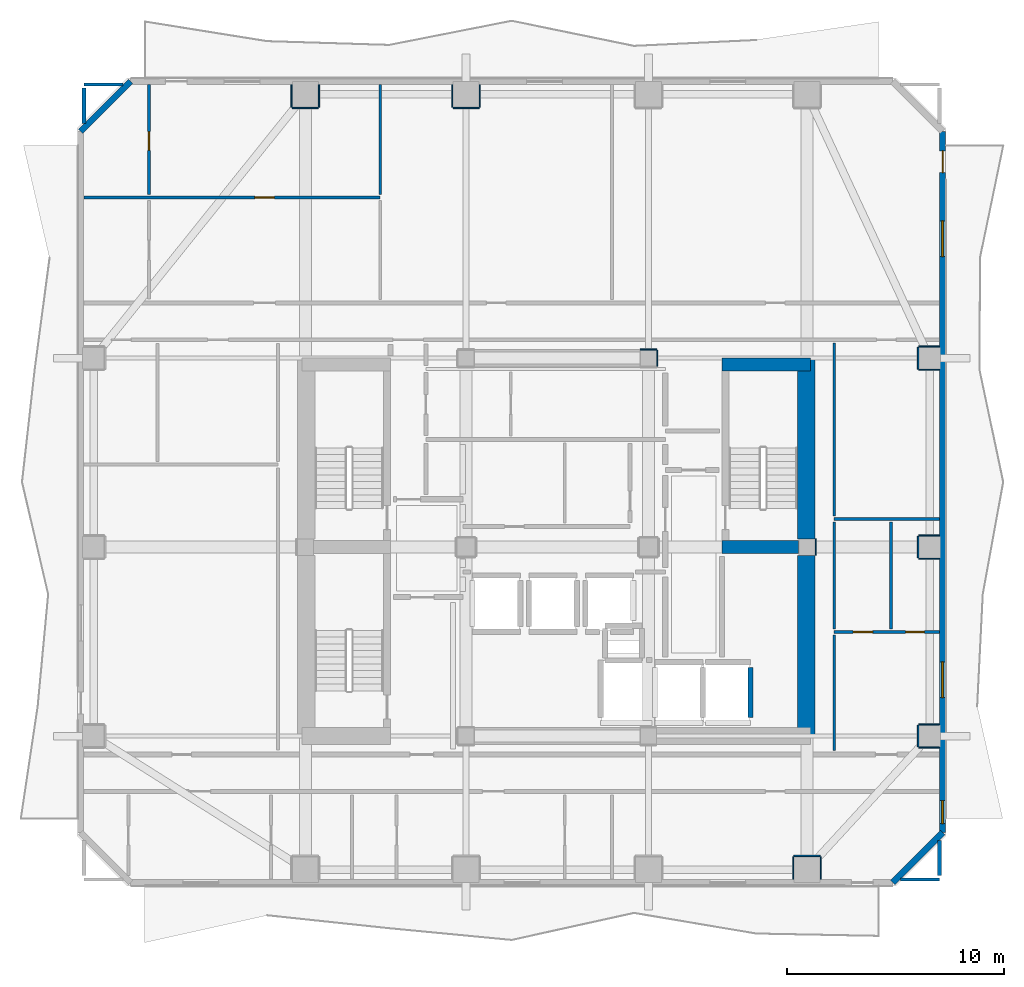
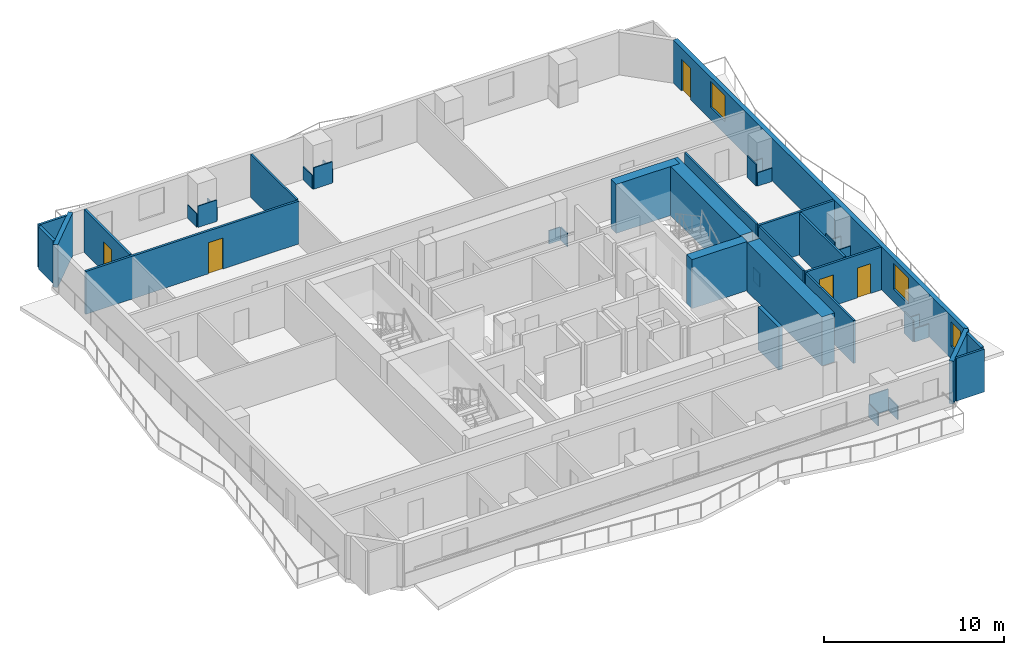
# One storey, part 5 of 10: 42 walls, 5 doors, 3 windows, 8 openings.
"""IFC4 building model written with IfcOpenShell, lengths in metres."""

from ifc_helpers import new_model, si_unit, direction, frame, frame_2d, origin, place, context, subcontext, project, spatial, rectangle, extrude, material, layer, layer_set, type_object, element, fill, save


model = new_model("IFC4")

# Units and contexts
model_context = context("Model", 3, precision=1e-05, world=origin(), true_north=direction((0.0, 1.0)))
body_context = subcontext(model_context, "Body", "Model", "MODEL_VIEW")
ifc_project = project(units=[si_unit("LENGTHUNIT", "METRE"), si_unit("AREAUNIT", "SQUARE_METRE"), si_unit("VOLUMEUNIT", "CUBIC_METRE"), si_unit("PLANEANGLEUNIT", "RADIAN"), si_unit("MASSUNIT", "GRAM", prefix="KILO")], contexts=[model_context])

# Site, building, storey
site_placement = place(None, origin())
site = spatial("IfcSite", under=ifc_project, at=site_placement, CompositionType="ELEMENT")
building_placement = place(site_placement, origin())
building = spatial("IfcBuilding", under=site, at=building_placement, Name="Solanera Arch Residences", CompositionType="ELEMENT")
storey_placement = place(building_placement, frame((0.0, 0.0, 186.840087890625)))
storey = spatial("IfcBuildingStorey", under=building, at=storey_placement, Name="L54", CompositionType="ELEMENT", Elevation=186.840087890625)

# Walls
ifc_material_1 = material(Name="Fire-Rated Gypsum Stud Partition", Category="gypsum")
ifc_layer_1 = layer(ifc_material_1, 0.06005859375)
ifc_layer_set_1 = layer_set([ifc_layer_1], Name="Fire-Rated Gypsum Stud Partition")
wall_type_1 = type_object("IfcWallType", Name="Column Acoustic Furring Wall 60", PredefinedType="PARTITIONING", material=ifc_layer_set_1)
wall_1_placement = place(storey_placement, frame((28.8330078125, 39.806884765625, 0.0), z_axis=(0.0, 0.0, 1.0), x_axis=(1.0, 0.0, 0.0)))
element("IfcWall", 1, at=wall_1_placement, inside=storey, type_object=wall_type_1, Name="L54 Column Furring 4N", PredefinedType="PARTITIONING", context=body_context, shape_type="SweptSolid", body=[
    extrude(rectangle(XDim=0.741943359375, YDim=0.06005859375, at=frame_2d((0.37109375, 0.0))), origin(), (0.0, 0.0, 1.0), 0.905029296875),
])
for number, where, z_axis, x_axis, name in (
    (2, (29.60693359375, 39.02490234375, 0.0), (0.0, 0.0, 1.0), (0.0, 1.0, 0.0), "L54 Column Furring 4E"),
    (3, (36.906982421875, 30.324951171875, 0.0), (0.0, 0.0, 1.0), (0.0, 1.0, 0.0), "L54 Column Furring 6E"),
):
    element("IfcWall", number, at=place(storey_placement, frame(where, z_axis=z_axis, x_axis=x_axis)), inside=storey, type_object=wall_type_1, Name=name, PredefinedType="PARTITIONING", context=body_context, shape_type="SweptSolid", body=[
        extrude(rectangle(XDim=0.75, YDim=0.06005859375, at=frame_2d((0.375, 0.0))), origin(), (0.0, 0.0, 1.0), 0.905029296875),
    ])
wall_2_placement = place(storey_placement, frame((12.800048828125, 50.91796875, 0.0), z_axis=(0.0, 0.0, 1.0), x_axis=(1.0, 0.0, 0.0)))
element("IfcWall", 4, at=wall_2_placement, inside=storey, type_object=wall_type_1, Name="L54 Column Furring 10S", PredefinedType="PARTITIONING", context=body_context, shape_type="SweptSolid", body=[
    extrude(rectangle(XDim=1.199951171875, YDim=0.06005859375, at=frame_2d((0.60009765625, 0.0))), origin(), (0.0, 0.0, 1.0), 1.449951171875),
])
for number, where, z_axis, x_axis, name in (
    (5, (12.76806640625, 50.949951171875, 0.0), (0.0, 0.0, 1.0), (0.0, 1.0, 0.0), "L54 Column Furring 10W"),
    (6, (14.031982421875, 50.949951171875, 0.0), (0.0, 0.0, 1.0), (0.0, 1.0, 0.0), "L54 Column Furring 10E"),
):
    element("IfcWall", number, at=place(storey_placement, frame(where, z_axis=z_axis, x_axis=x_axis)), inside=storey, type_object=wall_type_1, Name=name, PredefinedType="PARTITIONING", context=body_context, shape_type="SweptSolid", body=[
        extrude(rectangle(XDim=1.0400390625, YDim=0.06005859375, at=frame_2d((0.52001953125, 0.0))), origin(), (0.0, 0.0, 1.0), 0.905029296875),
    ])
wall_3_placement = place(storey_placement, frame((20.199951171875, 50.91796875, 0.0), z_axis=(0.0, 0.0, 1.0), x_axis=(1.0, 0.0, 0.0)))
element("IfcWall", 7, at=wall_3_placement, inside=storey, type_object=wall_type_1, Name="L54 Column Furring 12S", PredefinedType="PARTITIONING", context=body_context, shape_type="SweptSolid", body=[
    extrude(rectangle(XDim=1.199951171875, YDim=0.06005859375, at=frame_2d((0.60009765625, 0.0))), origin(), (0.0, 0.0, 1.0), 1.449951171875),
])
for number, where, z_axis, x_axis, name in (
    (8, (20.16796875, 50.949951171875, 0.0), (0.0, 0.0, 1.0), (0.0, 1.0, 0.0), "L54 Column Furring 12W"),
    (9, (21.431884765625, 50.949951171875, 0.0), (0.0, 0.0, 1.0), (0.0, 1.0, 0.0), "L54 Column Furring 12E"),
):
    element("IfcWall", number, at=place(storey_placement, frame(where, z_axis=z_axis, x_axis=x_axis)), inside=storey, type_object=wall_type_1, Name=name, PredefinedType="PARTITIONING", context=body_context, shape_type="SweptSolid", body=[
        extrude(rectangle(XDim=1.0400390625, YDim=0.06005859375, at=frame_2d((0.52001953125, 0.0))), origin(), (0.0, 0.0, 1.0), 0.905029296875),
    ])
wall_4_placement = place(storey_placement, frame((35.89990234375, 16.48193359375, 0.0), z_axis=(0.0, 0.0, 1.0), x_axis=(1.0, 0.0, 0.0)))
element("IfcWall", 10, at=wall_4_placement, inside=storey, type_object=wall_type_1, Name="L54 Column Furring 15N", PredefinedType="PARTITIONING", context=body_context, shape_type="SweptSolid", body=[
    extrude(rectangle(XDim=1.2001953125, YDim=0.06005859375, at=frame_2d((0.60009765625, 0.0))), origin(), (0.0, 0.0, 1.0), 1.449951171875),
])
for number, where, z_axis, x_axis, name in (
    (11, (35.867919921875, 15.409912109375, 0.0), (0.0, 0.0, 1.0), (0.0, 1.0, 0.0), "L54 Column Furring 15W"),
    (12, (37.132080078125, 15.409912109375, 0.0), (0.0, 0.0, 1.0), (0.0, 1.0, 0.0), "L54 Column Furring 15E"),
):
    element("IfcWall", number, at=place(storey_placement, frame(where, z_axis=z_axis, x_axis=x_axis)), inside=storey, type_object=wall_type_1, Name=name, PredefinedType="PARTITIONING", context=body_context, shape_type="SweptSolid", body=[
        extrude(rectangle(XDim=1.0400390625, YDim=0.06005859375, at=frame_2d((0.52001953125, 0.0))), origin(), (0.0, 0.0, 1.0), 0.905029296875),
    ])
for number, where, z_axis, x_axis, name in (
    (13, (41.64990234375, 21.468017578125, 0.0), (0.0, 0.0, 1.0), (1.0, 0.0, 0.0), "L54 Column Furring 18S"),
    (14, (41.64990234375, 22.531982421875, 0.0), (0.0, 0.0, 1.0), (1.0, 0.0, 0.0), "L54 Column Furring 18N"),
):
    element("IfcWall", number, at=place(storey_placement, frame(where, z_axis=z_axis, x_axis=x_axis)), inside=storey, type_object=wall_type_1, Name=name, PredefinedType="PARTITIONING", context=body_context, shape_type="SweptSolid", body=[
        extrude(rectangle(XDim=0.940185546875, YDim=0.06005859375, at=frame_2d((0.47021484375, 0.0))), origin(), (0.0, 0.0, 1.0), 0.905029296875),
    ])
wall_5_placement = place(storey_placement, frame((41.617919921875, 21.5, 0.0), z_axis=(0.0, 0.0, 1.0), x_axis=(0.0, 1.0, 0.0)))
element("IfcWall", 15, at=wall_5_placement, inside=storey, type_object=wall_type_1, Name="L54 Column Furring 18W", PredefinedType="PARTITIONING", context=body_context, shape_type="SweptSolid", body=[
    extrude(rectangle(XDim=1.0, YDim=0.06005859375, at=frame_2d((0.5, 0.0))), origin(), (0.0, 0.0, 1.0), 1.449951171875),
])
for number, where, z_axis, x_axis, name in (
    (16, (41.64990234375, 30.16796875, 0.0), (0.0, 0.0, 1.0), (1.0, 0.0, 0.0), "L54 Column Furring 20S"),
    (17, (41.64990234375, 31.23193359375, 0.0), (0.0, 0.0, 1.0), (1.0, 0.0, 0.0), "L54 Column Furring 20N"),
):
    element("IfcWall", number, at=place(storey_placement, frame(where, z_axis=z_axis, x_axis=x_axis)), inside=storey, type_object=wall_type_1, Name=name, PredefinedType="PARTITIONING", context=body_context, shape_type="SweptSolid", body=[
        extrude(rectangle(XDim=0.940185546875, YDim=0.06005859375, at=frame_2d((0.47021484375, 0.0))), origin(), (0.0, 0.0, 1.0), 0.905029296875),
    ])
wall_6_placement = place(storey_placement, frame((41.617919921875, 30.199951171875, 0.0), z_axis=(0.0, 0.0, 1.0), x_axis=(0.0, 1.0, 0.0)))
element("IfcWall", 18, at=wall_6_placement, inside=storey, type_object=wall_type_1, Name="L54 Column Furring 20W", PredefinedType="PARTITIONING", context=body_context, shape_type="SweptSolid", body=[
    extrude(rectangle(XDim=1.0, YDim=0.06005859375, at=frame_2d((0.5, 0.0))), origin(), (0.0, 0.0, 1.0), 1.449951171875),
])
for number, where, z_axis, x_axis, name in (
    (19, (41.64990234375, 38.867919921875, 0.0), (0.0, 0.0, 1.0), (1.0, 0.0, 0.0), "L54 Column Furring 22S"),
    (20, (41.64990234375, 39.931884765625, 0.0), (0.0, 0.0, 1.0), (1.0, 0.0, 0.0), "L54 Column Furring 22N"),
):
    element("IfcWall", number, at=place(storey_placement, frame(where, z_axis=z_axis, x_axis=x_axis)), inside=storey, type_object=wall_type_1, Name=name, PredefinedType="PARTITIONING", context=body_context, shape_type="SweptSolid", body=[
        extrude(rectangle(XDim=0.940185546875, YDim=0.06005859375, at=frame_2d((0.47021484375, 0.0))), origin(), (0.0, 0.0, 1.0), 0.905029296875),
    ])
wall_7_placement = place(storey_placement, frame((41.617919921875, 38.89990234375, 0.0), z_axis=(0.0, 0.0, 1.0), x_axis=(0.0, 1.0, 0.0)))
element("IfcWall", 21, at=wall_7_placement, inside=storey, type_object=wall_type_1, Name="L54 Column Furring 22W", PredefinedType="PARTITIONING", context=body_context, shape_type="SweptSolid", body=[
    extrude(rectangle(XDim=1.0, YDim=0.06005859375, at=frame_2d((0.5, 0.0))), origin(), (0.0, 0.0, 1.0), 1.449951171875),
])
ifc_material_2 = material(Name="Concrete C40/50 (f'c = 45 MPa)", Category="concrete")
ifc_layer_2 = layer(ifc_material_2, 0.60009765625)
ifc_layer_set_2 = layer_set([ifc_layer_2], Name="Concrete C40/50 (f'c = 45 MPa)")
wall_type_2 = type_object("IfcWallType", Name="Core Shear Wall CW-600", PredefinedType="SHEAR", material=ifc_layer_set_2)
wall_8_placement = place(storey_placement, frame((32.580078125, 39.10009765625, 0.0), z_axis=(0.0, 0.0, 1.0), x_axis=(1.0, 0.0, 0.0)))
element("IfcWall", 22, at=wall_8_placement, inside=storey, type_object=wall_type_2, Name="L54 North-East Core Shear Wall", PredefinedType="SHEAR", context=body_context, shape_type="SweptSolid", body=[
    extrude(rectangle(XDim=4.079833984375, YDim=0.60009765625, at=frame_2d((2.0400390625, 0.0))), origin(), (0.0, 0.0, 1.0), 3.31982421875),
])
wall_9_placement = place(storey_placement, frame((32.580078125, 30.699951171875, 0.0), z_axis=(0.0, 0.0, 1.0), x_axis=(1.0, 0.0, 0.0)))
element("IfcWall", 23, at=wall_9_placement, inside=storey, type_object=wall_type_2, Name="L54 East Stair Far-Landing Shear Wall", PredefinedType="SHEAR", context=body_context, shape_type="SweptSolid", body=[
    extrude(rectangle(XDim=3.5400390625, YDim=0.60009765625, at=frame_2d((1.77001953125, 0.0))), origin(), (0.0, 0.0, 1.0), 3.31982421875),
])
ifc_material_3 = material(Name="Concrete C40/50 (f'c = 45 MPa)", Category="concrete")
ifc_layer_3 = layer(ifc_material_3, 0.800048828125)
ifc_layer_set_3 = layer_set([ifc_layer_3], Name="Concrete C40/50 (f'c = 45 MPa)")
wall_type_3 = type_object("IfcWallType", Name="Core Shear Wall CW-800", PredefinedType="SHEAR", material=ifc_layer_set_3)
wall_10_placement = place(storey_placement, frame((36.4599609375, 22.0, 0.0), z_axis=(0.0, 0.0, 1.0), x_axis=(0.0, 1.0, 0.0)))
element("IfcWall", 24, at=wall_10_placement, inside=storey, type_object=wall_type_3, Name="L54 East Core South Shear Wall", PredefinedType="SHEAR", context=body_context, shape_type="SweptSolid", body=[
    extrude(rectangle(XDim=8.320068359375, YDim=0.800048828125, at=frame_2d((4.16015625, 0.0))), origin(), (0.0, 0.0, 1.0), 3.31982421875),
])
wall_11_placement = place(storey_placement, frame((36.4599609375, 31.080078125, 0.0), z_axis=(0.0, 0.0, 1.0), x_axis=(0.0, 1.0, 0.0)))
element("IfcWall", 25, at=wall_11_placement, inside=storey, type_object=wall_type_3, Name="L54 East Core North Shear Wall", PredefinedType="SHEAR", context=body_context, shape_type="SweptSolid", body=[
    extrude(rectangle(XDim=8.31982421875, YDim=0.800048828125, at=frame_2d((4.159912109375, 0.0))), origin(), (0.0, 0.0, 1.0), 3.31982421875),
])
ifc_material_4 = material(Name="Autoclaved Aerated Concrete Blockwork", Category="masonry")
ifc_layer_4 = layer(ifc_material_4, 0.179931640625)
ifc_layer_set_4 = layer_set([ifc_layer_4], Name="Autoclaved Aerated Concrete Blockwork")
wall_type_4 = type_object("IfcWallType", Name="Corridor Fire Partition 180", PredefinedType="PARTITIONING", material=ifc_layer_set_4)
for number, where, z_axis, x_axis, name in (
    (26, (3.199951171875, 50.205078125, 0.0), (0.0, 0.0, 1.0), (0.0, 1.0, 0.0), "L54 Interior Partition V6 2"),
    (27, (42.60009765625, 15.568115234375, 0.0), (0.0, 0.0, 1.0), (0.0, 1.0, 0.0), "L54 Interior Partition V9 1"),
):
    element("IfcWall", number, at=place(storey_placement, frame(where, z_axis=z_axis, x_axis=x_axis)), inside=storey, type_object=wall_type_4, Name=name, PredefinedType="PARTITIONING", context=body_context, shape_type="SweptSolid", body=[
        extrude(rectangle(XDim=1.626953125, YDim=0.179931640625, at=frame_2d((0.8134765625, 0.0))), origin(), (0.0, 0.0, 1.0), 2.89990234375),
    ])
ifc_material_5 = material(Name="Precast Concrete C35/45", Category="concrete")
ifc_layer_5 = layer(ifc_material_5, 0.280029296875)
ifc_layer_set_5 = layer_set([ifc_layer_5], Name="Precast Concrete C35/45")
wall_type_5 = type_object("IfcWallType", Name="Exterior Wall Precast Masonry-Frame 280", PredefinedType="STANDARD", material=ifc_layer_set_5)
wall_12_placement = place(storey_placement, frame((3.054931640625, 49.844970703125, 0.0), z_axis=(0.0, 0.0, 1.0), x_axis=(0.707106781187, 0.707106781187, 0.0)))
element("IfcWall", 28, at=wall_12_placement, inside=storey, type_object=wall_type_5, Name="L54 Tower Exterior Precast Masonry-Frame Wall CH1", PredefinedType="STANDARD", context=body_context, shape_type="SweptSolid", body=[
    extrude(rectangle(XDim=3.252685546875, YDim=0.280029296875, at=frame_2d((1.62646484375, 0.0))), origin(), (0.0, 0.0, 1.0), 2.89990234375),
])

# Wall, openings, door, windows
wall_13_placement = place(storey_placement, frame((42.7451171875, 49.844970703125, 0.0), z_axis=(0.0, 0.0, 1.0), x_axis=(0.0, -1.0, 0.0)))
wall_13 = element("IfcWall", 29, at=wall_13_placement, inside=storey, type_object=wall_type_5, Name="L54 Tower Exterior Precast Masonry-Frame Wall E", PredefinedType="STANDARD", context=body_context, shape_type="SweptSolid", body=[
    extrude(rectangle(XDim=32.2900390625, YDim=0.280029296875, at=frame_2d((16.14501953125, 0.0))), origin(), (0.0, 0.0, 1.0), 2.89990234375),
])
opening_1_placement = place(wall_13_placement, frame((0.904052734375, 0.0, 0.0)))
opening_1 = element("IfcOpeningElement", 30, at=opening_1_placement, cuts=wall_13, Name="Opening DB-01", PredefinedType="OPENING", context=body_context, shape_type="SweptSolid", body=[
    extrude(rectangle(XDim=1.0, YDim=2.14990234375, at=frame_2d((0.5, 1.074951171875))), frame((0.0, 0.14990234375, 0.0), z_axis=(0.0, -1.0, 0.0), x_axis=(1.0, 0.0, 0.0)), (0.0, 0.0, 1.0), 0.3),
])
opening_2_placement = place(wall_13_placement, frame((30.822021484375, 0.0, 0.85009765625)))
opening_2 = element("IfcOpeningElement", 31, at=opening_2_placement, cuts=wall_13, Name="Opening W-07", PredefinedType="OPENING", context=body_context, shape_type="SweptSolid", body=[
    extrude(rectangle(XDim=1.050048828125, YDim=1.64990234375, at=frame_2d((0.52490234375, 0.824951171875))), frame((0.0, 0.14990234375, 0.0), z_axis=(0.0, -1.0, 0.0), x_axis=(1.0, 0.0, 0.0)), (0.0, 0.0, 1.0), 0.3),
])
opening_3_placement = place(wall_13_placement, frame((4.1240234375, 0.0, 0.85009765625)))
opening_3 = element("IfcOpeningElement", 32, at=opening_3_placement, cuts=wall_13, Name="Opening W-08", PredefinedType="OPENING", context=body_context, shape_type="SweptSolid", body=[
    extrude(rectangle(XDim=1.64990234375, YDim=1.75, at=frame_2d((0.824951171875, 0.875))), frame((0.0, 0.14990234375, 0.0), z_axis=(0.0, -1.0, 0.0), x_axis=(1.0, 0.0, 0.0)), (0.0, 0.0, 1.0), 0.3),
])
opening_4_placement = place(wall_13_placement, frame((24.424072265625, 0.0, 0.85009765625)))
opening_4 = element("IfcOpeningElement", 33, at=opening_4_placement, cuts=wall_13, Name="Opening W-08", PredefinedType="OPENING", context=body_context, shape_type="SweptSolid", body=[
    extrude(rectangle(XDim=1.64990234375, YDim=1.75, at=frame_2d((0.824951171875, 0.875))), frame((0.0, 0.14990234375, 0.0), z_axis=(0.0, -1.0, 0.0), x_axis=(1.0, 0.0, 0.0)), (0.0, 0.0, 1.0), 0.3),
])
ifc_material_6 = material(Name="Anodised Aluminium Alloy 6063-T6", Category="aluminium")
door_type_1 = type_object("IfcDoorType", Name="Glazed Balcony Swing Door DB-01", OperationType="NOTDEFINED", PredefinedType="DOOR", material=ifc_material_6)
door_1_placement = place(opening_1_placement, origin())
door_1 = element("IfcDoor", 34, at=door_1_placement, inside=storey, type_object=door_type_1, Name="DR-L54-OUT-03", OperationType="SINGLE_SWING_RIGHT", OverallHeight=2.14990234375, OverallWidth=1.0, PredefinedType="DOOR", context=body_context, shape_type="SweptSolid", body=[
    extrude(rectangle(XDim=1.0, YDim=2.14990234375, at=frame_2d((0.5, 1.074951171875))), frame((0.0, 0.02490234375, 0.0), z_axis=(0.0, -1.0, 0.0), x_axis=(1.0, 0.0, 0.0)), (0.0, 0.0, 1.0), 0.050048828125),
])
fill(opening_1, door_1)
ifc_material_7 = material(Name="Double Glazed Low-E Laminated Glass", Category="glass")
window_type_1 = type_object("IfcWindowType", Name="Punched Window W-07", PartitioningType="SINGLE_PANEL", PredefinedType="WINDOW", material=ifc_material_7)
window_1_placement = place(opening_2_placement, origin())
window_1 = element("IfcWindow", 35, at=window_1_placement, inside=storey, type_object=window_type_1, Name="L54 AMN-LNG Punched Window", OverallHeight=1.64990234375, OverallWidth=1.050048828125, PartitioningType="SINGLE_PANEL", PredefinedType="WINDOW", context=body_context, shape_type="SweptSolid", body=[
    extrude(rectangle(XDim=1.050048828125, YDim=1.64990234375, at=frame_2d((0.52490234375, 0.824951171875))), frame((0.0, 0.030029296875, 0.0), z_axis=(0.0, -1.0, 0.0), x_axis=(1.0, 0.0, 0.0)), (0.0, 0.0, 1.0), 0.06005859375),
])
fill(opening_2, window_1)
ifc_material_8 = material(Name="Double Glazed Low-E Laminated Glass", Category="glass")
window_type_2 = type_object("IfcWindowType", Name="Punched Window W-08", PartitioningType="DOUBLE_PANEL_HORIZONTAL", PredefinedType="WINDOW", material=ifc_material_8)
window_2_placement = place(opening_3_placement, origin())
window_2 = element("IfcWindow", 36, at=window_2_placement, inside=storey, type_object=window_type_2, Name="L54 AMN-MTG2 Punched Window", OverallHeight=1.75, OverallWidth=1.64990234375, PartitioningType="SINGLE_PANEL", PredefinedType="WINDOW", context=body_context, shape_type="SweptSolid", body=[
    extrude(rectangle(XDim=1.64990234375, YDim=1.75, at=frame_2d((0.824951171875, 0.875))), frame((0.0, 0.030029296875, 0.0), z_axis=(0.0, -1.0, 0.0), x_axis=(1.0, 0.0, 0.0)), (0.0, 0.0, 1.0), 0.06005859375),
])
fill(opening_3, window_2)
window_3_placement = place(opening_4_placement, origin())
window_3 = element("IfcWindow", 37, at=window_3_placement, inside=storey, type_object=window_type_2, Name="L54 5404-LIV Punched Window", OverallHeight=1.75, OverallWidth=1.64990234375, PartitioningType="SINGLE_PANEL", PredefinedType="WINDOW", context=body_context, shape_type="SweptSolid", body=[
    extrude(rectangle(XDim=1.64990234375, YDim=1.75, at=frame_2d((0.824951171875, 0.875))), frame((0.0, 0.030029296875, 0.0), z_axis=(0.0, -1.0, 0.0), x_axis=(1.0, 0.0, 0.0)), (0.0, 0.0, 1.0), 0.06005859375),
])
fill(opening_4, window_3)

# Walls
wall_14_placement = place(storey_placement, frame((42.7451171875, 17.554931640625, 0.0), z_axis=(0.0, 0.0, 1.0), x_axis=(-0.707106781187, -0.707106781187, 0.0)))
element("IfcWall", 38, at=wall_14_placement, inside=storey, type_object=wall_type_5, Name="L54 Tower Exterior Precast Masonry-Frame Wall CH5", PredefinedType="STANDARD", context=body_context, shape_type="SweptSolid", body=[
    extrude(rectangle(XDim=3.252685546875, YDim=0.280029296875, at=frame_2d((1.62646484375, 0.0))), origin(), (0.0, 0.0, 1.0), 2.89990234375),
])
ifc_material_9 = material(Name="Autoclaved Aerated Concrete Blockwork", Category="masonry")
ifc_layer_6 = layer(ifc_material_9, 0.239990234375)
ifc_layer_set_6 = layer_set([ifc_layer_6], Name="Autoclaved Aerated Concrete Blockwork")
wall_type_6 = type_object("IfcWallType", Name="Shaft Wall Fire-Rated 240", PredefinedType="PARTITIONING", material=ifc_layer_set_6)
wall_15_placement = place(storey_placement, frame((33.89990234375, 22.847900390625, 0.0), z_axis=(0.0, 0.0, 1.0), x_axis=(0.0, 1.0, 0.0)))
element("IfcWall", 39, at=wall_15_placement, inside=storey, type_object=wall_type_6, Name="L54 Lift FFL-2 Hoistway Wall E", PredefinedType="PARTITIONING", context=body_context, shape_type="SweptSolid", body=[
    extrude(rectangle(XDim=2.30419921875, YDim=0.239990234375, at=frame_2d((1.152099609375, 0.0))), origin(), (0.0, 0.0, 1.0), 2.89990234375),
])
ifc_material_10 = material(Name="Fire-Rated Gypsum Stud Partition", Category="gypsum")
ifc_layer_7 = layer(ifc_material_10, 0.1201171875)
ifc_layer_set_7 = layer_set([ifc_layer_7], Name="Fire-Rated Gypsum Stud Partition")
wall_type_7 = type_object("IfcWallType", Name="Unit Drywall Partition 120", PredefinedType="PARTITIONING", material=ifc_layer_set_7)
wall_16_placement = place(storey_placement, frame((16.847900390625, 46.93798828125, 0.0), z_axis=(0.0, 0.0, 1.0), x_axis=(0.0, 1.0, 0.0)))
element("IfcWall", 40, at=wall_16_placement, inside=storey, type_object=wall_type_7, Name="L54 Interior Partition V18 2", PredefinedType="PARTITIONING", context=body_context, shape_type="SweptSolid", body=[
    extrude(rectangle(XDim=5.054931640625, YDim=0.1201171875, at=frame_2d((2.52734375, 0.0))), origin(), (0.0, 0.0, 1.0), 2.89990234375),
])
wall_17_placement = place(storey_placement, frame((37.75, 21.337890625, 0.0), z_axis=(0.0, 0.0, 1.0), x_axis=(0.0, 1.0, 0.0)))
element("IfcWall", 41, at=wall_17_placement, inside=storey, type_object=wall_type_7, Name="L54 Interior Partition V24 1", PredefinedType="PARTITIONING", context=body_context, shape_type="SweptSolid", body=[
    extrude(rectangle(XDim=5.316162109375, YDim=0.1201171875, at=frame_2d((2.658203125, 0.0))), origin(), (0.0, 0.0, 1.0), 2.89990234375),
])
wall_18_placement = place(storey_placement, frame((37.75, 26.929931640625, 0.0), z_axis=(0.0, 0.0, 1.0), x_axis=(0.0, 1.0, 0.0)))
element("IfcWall", 42, at=wall_18_placement, inside=storey, type_object=wall_type_7, Name="L54 Interior Partition V24 2", PredefinedType="PARTITIONING", context=body_context, shape_type="SweptSolid", body=[
    extrude(rectangle(XDim=4.93212890625, YDim=0.1201171875, at=frame_2d((2.466064453125, 0.0))), origin(), (0.0, 0.0, 1.0), 2.89990234375),
])
wall_19_placement = place(storey_placement, frame((37.75, 32.137939453125, 0.0), z_axis=(0.0, 0.0, 1.0), x_axis=(0.0, 1.0, 0.0)))
element("IfcWall", 43, at=wall_19_placement, inside=storey, type_object=wall_type_7, Name="L54 Interior Partition V24 3", PredefinedType="PARTITIONING", context=body_context, shape_type="SweptSolid", body=[
    extrude(rectangle(XDim=7.9541015625, YDim=0.1201171875, at=frame_2d((3.97705078125, 0.0))), origin(), (0.0, 0.0, 1.0), 2.89990234375),
])
ifc_material_11 = material(Name="Autoclaved Aerated Concrete Blockwork", Category="masonry")
ifc_layer_8 = layer(ifc_material_11, 0.139892578125)
ifc_layer_set_8 = layer_set([ifc_layer_8], Name="Autoclaved Aerated Concrete Blockwork")
wall_type_8 = type_object("IfcWallType", Name="Wet-Room Partition 140", PredefinedType="PARTITIONING", material=ifc_layer_set_8)
wall_20_placement = place(storey_placement, frame((40.804931640625, 15.39990234375, 0.0), z_axis=(0.0, 0.0, 1.0), x_axis=(1.0, 0.0, 0.0)))
element("IfcWall", 44, at=wall_20_placement, inside=storey, type_object=wall_type_8, Name="L54 Interior Partition H13 2", PredefinedType="PARTITIONING", context=body_context, shape_type="SweptSolid", body=[
    extrude(rectangle(XDim=1.795166015625, YDim=0.139892578125, at=frame_2d((0.8974609375, 0.0))), origin(), (0.0, 0.0, 1.0), 2.89990234375),
])

# Wall, openings, doors
wall_21_placement = place(storey_placement, frame((37.75, 26.7919921875, 0.0), z_axis=(0.0, 0.0, 1.0), x_axis=(1.0, 0.0, 0.0)))
wall_21 = element("IfcWall", 45, at=wall_21_placement, inside=storey, type_object=wall_type_8, Name="L54 Interior Partition H14", PredefinedType="PARTITIONING", context=body_context, shape_type="SweptSolid", body=[
    extrude(rectangle(XDim=4.843017578125, YDim=0.139892578125, at=frame_2d((2.42138671875, 0.0))), origin(), (0.0, 0.0, 1.0), 2.89990234375),
])
opening_5_placement = place(wall_21_placement, frame((0.8720703125, 0.0, 0.0)))
opening_5 = element("IfcOpeningElement", 46, at=opening_5_placement, cuts=wall_21, Name="Opening DI-02", PredefinedType="OPENING", context=body_context, shape_type="SweptSolid", body=[
    extrude(rectangle(XDim=0.89990234375, YDim=2.10009765625, at=frame_2d((0.449951171875, 1.050048828125))), frame((0.0, 0.079833984375, 0.0), z_axis=(0.0, -1.0, 0.0), x_axis=(1.0, 0.0, 0.0)), (0.0, 0.0, 1.0), 0.1599),
])
opening_6_placement = place(wall_21_placement, frame((3.2919921875, 0.0, 0.0)))
opening_6 = element("IfcOpeningElement", 47, at=opening_6_placement, cuts=wall_21, Name="Opening DI-05", PredefinedType="OPENING", context=body_context, shape_type="SweptSolid", body=[
    extrude(rectangle(XDim=0.860107421875, YDim=2.02001953125, at=frame_2d((0.43017578125, 1.010009765625))), frame((0.0, 0.079833984375, 0.0), z_axis=(0.0, -1.0, 0.0), x_axis=(1.0, 0.0, 0.0)), (0.0, 0.0, 1.0), 0.1599),
])
ifc_material_12 = material(Name="Fire-Rated Architectural Hardwood", Category="wood")
door_type_2 = type_object("IfcDoorType", Name="Bathroom Swing Door DI-05", OperationType="NOTDEFINED", PredefinedType="DOOR", material=ifc_material_12)
door_2_placement = place(opening_6_placement, origin())
door_2 = element("IfcDoor", 48, at=door_2_placement, inside=storey, type_object=door_type_2, Name="DR-L54-IN-032", OperationType="SINGLE_SWING_RIGHT", OverallHeight=2.02001953125, OverallWidth=0.860107421875, PredefinedType="DOOR", context=body_context, shape_type="SweptSolid", body=[
    extrude(rectangle(XDim=0.860107421875, YDim=2.02001953125, at=frame_2d((0.43017578125, 1.010009765625))), frame((0.0, 0.02490234375, 0.0), z_axis=(0.0, -1.0, 0.0), x_axis=(1.0, 0.0, 0.0)), (0.0, 0.0, 1.0), 0.050048828125),
])
fill(opening_6, door_2)
ifc_material_13 = material(Name="Fire-Rated Architectural Hardwood", Category="wood")
door_type_3 = type_object("IfcDoorType", Name="Suite Room Swing Door DI-02", OperationType="NOTDEFINED", PredefinedType="DOOR", material=ifc_material_13)
door_3_placement = place(opening_5_placement, origin())
door_3 = element("IfcDoor", 49, at=door_3_placement, inside=storey, type_object=door_type_3, Name="DR-L54-IN-031", OperationType="SINGLE_SWING_LEFT", OverallHeight=2.10009765625, OverallWidth=0.89990234375, PredefinedType="DOOR", context=body_context, shape_type="SweptSolid", body=[
    extrude(rectangle(XDim=0.89990234375, YDim=2.10009765625, at=frame_2d((0.449951171875, 1.050048828125))), frame((0.0, 0.02490234375, 0.0), z_axis=(0.0, -1.0, 0.0), x_axis=(1.0, 0.0, 0.0)), (0.0, 0.0, 1.0), 0.050048828125),
])
fill(opening_5, door_3)

# Wall
wall_22_placement = place(storey_placement, frame((37.75, 32.0, 0.0), z_axis=(0.0, 0.0, 1.0), x_axis=(1.0, 0.0, 0.0)))
element("IfcWall", 50, at=wall_22_placement, inside=storey, type_object=wall_type_8, Name="L54 Interior Partition H15", PredefinedType="PARTITIONING", context=body_context, shape_type="SweptSolid", body=[
    extrude(rectangle(XDim=4.843017578125, YDim=0.139892578125, at=frame_2d((2.42138671875, 0.0))), origin(), (0.0, 0.0, 1.0), 2.89990234375),
])

# Wall, opening, door
wall_23_placement = place(storey_placement, frame((3.20703125, 46.800048828125, 0.0), z_axis=(0.0, 0.0, 1.0), x_axis=(1.0, 0.0, 0.0)))
wall_23 = element("IfcWall", 51, at=wall_23_placement, inside=storey, type_object=wall_type_8, Name="L54 Interior Partition H17", PredefinedType="PARTITIONING", context=body_context, shape_type="SweptSolid", body=[
    extrude(rectangle(XDim=13.640869140625, YDim=0.139892578125, at=frame_2d((6.8203125, 0.0))), origin(), (0.0, 0.0, 1.0), 2.89990234375),
])
opening_7_placement = place(wall_23_placement, frame((7.866943359375, 0.0, 0.0)))
opening_7 = element("IfcOpeningElement", 52, at=opening_7_placement, cuts=wall_23, Name="Opening DI-02", PredefinedType="OPENING", context=body_context, shape_type="SweptSolid", body=[
    extrude(rectangle(XDim=0.89990234375, YDim=2.10009765625, at=frame_2d((0.449951171875, 1.050048828125))), frame((0.0, 0.079833984375, 0.0), z_axis=(0.0, -1.0, 0.0), x_axis=(1.0, 0.0, 0.0)), (0.0, 0.0, 1.0), 0.1599),
])
door_4_placement = place(opening_7_placement, origin())
door_4 = element("IfcDoor", 53, at=door_4_placement, inside=storey, type_object=door_type_3, Name="DR-L54-IN-022", OperationType="SINGLE_SWING_RIGHT", OverallHeight=2.10009765625, OverallWidth=0.89990234375, PredefinedType="DOOR", context=body_context, shape_type="SweptSolid", body=[
    extrude(rectangle(XDim=0.89990234375, YDim=2.10009765625, at=frame_2d((0.449951171875, 1.050048828125))), frame((0.0, 0.02490234375, 0.0), z_axis=(0.0, -1.0, 0.0), x_axis=(1.0, 0.0, 0.0)), (0.0, 0.0, 1.0), 0.050048828125),
])
fill(opening_7, door_4)

# Wall
wall_24_placement = place(storey_placement, frame((3.199951171875, 52.0, 0.0), z_axis=(0.0, 0.0, 1.0), x_axis=(1.0, 0.0, 0.0)))
element("IfcWall", 54, at=wall_24_placement, inside=storey, type_object=wall_type_8, Name="L54 Interior Partition H18 1", PredefinedType="PARTITIONING", context=body_context, shape_type="SweptSolid", body=[
    extrude(rectangle(XDim=1.795166015625, YDim=0.139892578125, at=frame_2d((0.8974609375, 0.0))), origin(), (0.0, 0.0, 1.0), 2.89990234375),
])

# Wall, opening, door
wall_25_placement = place(storey_placement, frame((6.199951171875, 46.947998046875, 0.0), z_axis=(0.0, 0.0, 1.0), x_axis=(0.0, 1.0, 0.0)))
wall_25 = element("IfcWall", 55, at=wall_25_placement, inside=storey, type_object=wall_type_8, Name="L54 Interior Partition V11 2", PredefinedType="PARTITIONING", context=body_context, shape_type="SweptSolid", body=[
    extrude(rectangle(XDim=5.044921875, YDim=0.139892578125, at=frame_2d((2.5224609375, 0.0))), origin(), (0.0, 0.0, 1.0), 2.89990234375),
])
opening_8_placement = place(wall_25_placement, frame((2.02197265625, 0.0, 0.0)))
opening_8 = element("IfcOpeningElement", 56, at=opening_8_placement, cuts=wall_25, Name="Opening DI-05", PredefinedType="OPENING", context=body_context, shape_type="SweptSolid", body=[
    extrude(rectangle(XDim=0.860107421875, YDim=2.02001953125, at=frame_2d((0.43017578125, 1.010009765625))), frame((0.0, 0.079833984375, 0.0), z_axis=(0.0, -1.0, 0.0), x_axis=(1.0, 0.0, 0.0)), (0.0, 0.0, 1.0), 0.1599),
])
door_5_placement = place(opening_8_placement, origin())
door_5 = element("IfcDoor", 57, at=door_5_placement, inside=storey, type_object=door_type_2, Name="DR-L54-IN-024", OperationType="SINGLE_SWING_RIGHT", OverallHeight=2.02001953125, OverallWidth=0.860107421875, PredefinedType="DOOR", context=body_context, shape_type="SweptSolid", body=[
    extrude(rectangle(XDim=0.860107421875, YDim=2.02001953125, at=frame_2d((0.43017578125, 1.010009765625))), frame((0.0, 0.02490234375, 0.0), z_axis=(0.0, -1.0, 0.0), x_axis=(1.0, 0.0, 0.0)), (0.0, 0.0, 1.0), 0.050048828125),
])
fill(opening_8, door_5)

# Wall
wall_26_placement = place(storey_placement, frame((40.368896484375, 26.93994140625, 0.0), z_axis=(0.0, 0.0, 1.0), x_axis=(0.0, 1.0, 0.0)))
element("IfcWall", 58, at=wall_26_placement, inside=storey, type_object=wall_type_8, Name="L54 Interior Partition V16", PredefinedType="PARTITIONING", context=body_context, shape_type="SweptSolid", body=[
    extrude(rectangle(XDim=4.912109375, YDim=0.139892578125, at=frame_2d((2.4560546875, 0.0))), origin(), (0.0, 0.0, 1.0), 2.89990234375),
])

save(model, "model.ifc")
